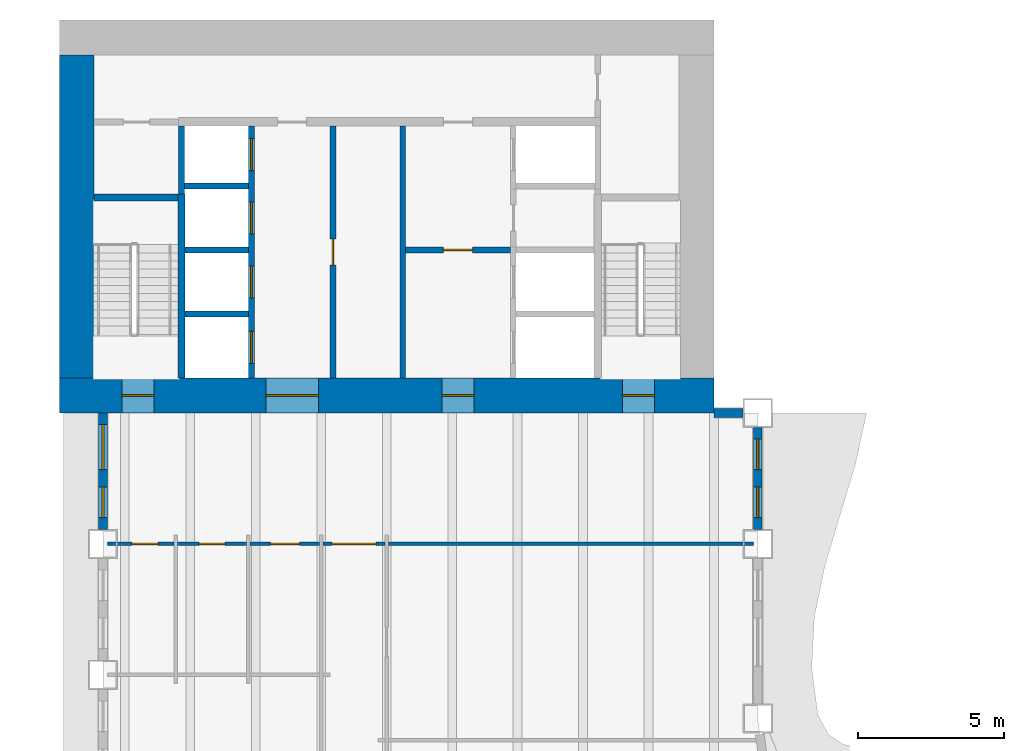
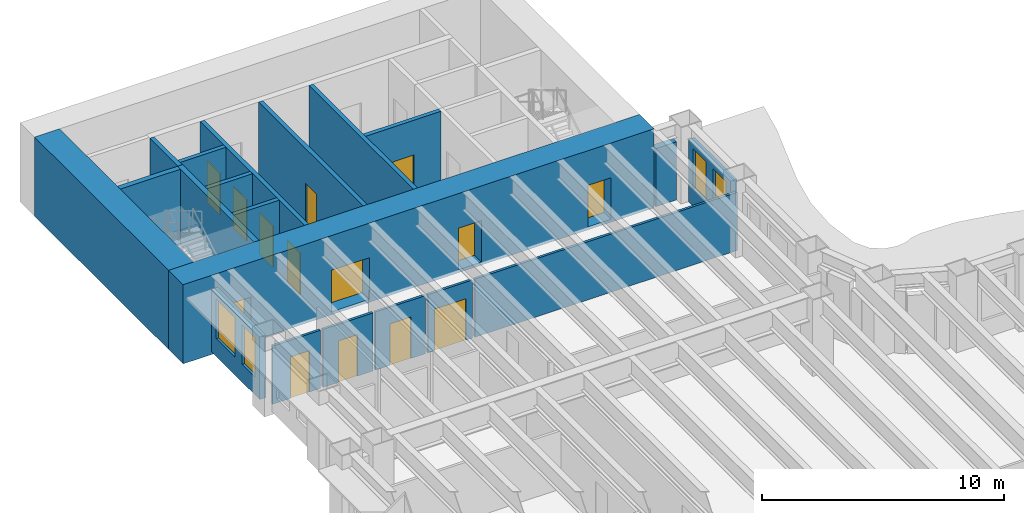
# One storey, part 8 of 16: 20 walls, 14 doors, 4 windows, 18 openings.
"""IFC4 building model written with IfcOpenShell, lengths in metres."""

from ifc_helpers import new_model, si_unit, direction, frame, frame_2d, origin, place, context, subcontext, project, spatial, rectangle, extrude, material, layer, layer_set, type_object, element, fill, save


model = new_model("IFC4")

# Units and contexts
model_context = context("Model", 3, precision=1e-05, world=origin(), true_north=direction((0.0, 1.0)))
body_context = subcontext(model_context, "Body", "Model", "MODEL_VIEW")
ifc_project = project(units=[si_unit("LENGTHUNIT", "METRE"), si_unit("AREAUNIT", "SQUARE_METRE"), si_unit("VOLUMEUNIT", "CUBIC_METRE"), si_unit("PLANEANGLEUNIT", "RADIAN"), si_unit("MASSUNIT", "GRAM", prefix="KILO")], contexts=[model_context])

# Site, building, storey
site_placement = place(None, origin())
site = spatial("IfcSite", under=ifc_project, at=site_placement, CompositionType="ELEMENT")
building_placement = place(site_placement, origin())
building = spatial("IfcBuilding", under=site, at=building_placement, Name="Sennacour Bend Tower", CompositionType="ELEMENT")
storey_placement = place(building_placement, frame((0.0, 0.0, 111.0)))
storey = spatial("IfcBuildingStorey", under=building, at=storey_placement, Name="L25", CompositionType="ELEMENT", Elevation=111.0)

# Wall, openings, doors
ifc_material_1 = material(Name="Concrete C80/95", Category="concrete")
ifc_layer_1 = layer(ifc_material_1, 1.199951171875, Name="Concrete C80/95", Category="concrete")
ifc_layer_set_1 = layer_set([ifc_layer_1], Name="Concrete C80/95")
wall_type_1 = type_object("IfcWallType", Name="Core wall 1200 C80/95", PredefinedType="SHEAR", material=ifc_layer_set_1)
wall_1_placement = place(storey_placement, frame((0.0, 36.60009765625, -0.14990234375), z_axis=(0.0, 0.0, 1.0), x_axis=(1.0, 0.0, 0.0)))
wall_1 = element("IfcWall", 1, at=wall_1_placement, inside=storey, type_object=wall_type_1, Name="Core B wall L25 S", PredefinedType="SHEAR", context=body_context, shape_type="SweptSolid", body=[
    extrude(rectangle(XDim=22.5, YDim=1.199951171875, at=frame_2d((11.25, 0.0))), origin(), (0.0, 0.0, 1.0), 4.0),
])
opening_1_placement = place(wall_1_placement, frame((7.10009765625, 0.0, 0.14990234375)))
opening_1 = element("IfcOpeningElement", 2, at=opening_1_placement, cuts=wall_1, Name="Opening CD", PredefinedType="OPENING", context=body_context, shape_type="SweptSolid", body=[
    extrude(rectangle(XDim=1.800048828125, YDim=2.10009765625, at=frame_2d((0.89990234375, 1.050048828125))), frame((0.0, 0.60986328125, 0.0), z_axis=(0.0, -1.0, 0.0), x_axis=(1.0, 0.0, 0.0)), (0.0, 0.0, 1.0), 1.219970703125),
])
opening_2_placement = place(wall_1_placement, frame((13.14990234375, 0.0, 0.14990234375)))
opening_2 = element("IfcOpeningElement", 3, at=opening_2_placement, cuts=wall_1, Name="Opening FD", PredefinedType="OPENING", context=body_context, shape_type="SweptSolid", body=[
    extrude(rectangle(XDim=1.10009765625, YDim=2.10009765625, at=frame_2d((0.550048828125, 1.050048828125))), frame((0.0, 0.60986328125, 0.0), z_axis=(0.0, -1.0, 0.0), x_axis=(1.0, 0.0, 0.0)), (0.0, 0.0, 1.0), 1.219970703125),
])
opening_3_placement = place(wall_1_placement, frame((2.14990234375, 0.0, 0.14990234375)))
opening_3 = element("IfcOpeningElement", 4, at=opening_3_placement, cuts=wall_1, Name="Opening SD", PredefinedType="OPENING", context=body_context, shape_type="SweptSolid", body=[
    extrude(rectangle(XDim=1.10009765625, YDim=2.10009765625, at=frame_2d((0.550048828125, 1.050048828125))), frame((0.0, 0.60986328125, 0.0), z_axis=(0.0, -1.0, 0.0), x_axis=(1.0, 0.0, 0.0)), (0.0, 0.0, 1.0), 1.219970703125),
])
opening_4_placement = place(wall_1_placement, frame((19.35009765625, 0.0, 0.14990234375)))
opening_4 = element("IfcOpeningElement", 5, at=opening_4_placement, cuts=wall_1, Name="Opening SD", PredefinedType="OPENING", context=body_context, shape_type="SweptSolid", body=[
    extrude(rectangle(XDim=1.10009765625, YDim=2.10009765625, at=frame_2d((0.550048828125, 1.050048828125))), frame((0.0, 0.60986328125, 0.0), z_axis=(0.0, -1.0, 0.0), x_axis=(1.0, 0.0, 0.0)), (0.0, 0.0, 1.0), 1.219970703125),
])
ifc_material_2 = material(Name="Painted steel", Category="steel")
door_type_1 = type_object("IfcDoorType", Name="DR-FFL-1100", OperationType="NOTDEFINED", PredefinedType="DOOR", material=ifc_material_2)
door_1_placement = place(opening_2_placement, origin())
door_1 = element("IfcDoor", 6, at=door_1_placement, inside=storey, type_object=door_type_1, Name="Door", OperationType="SINGLE_SWING_RIGHT", OverallHeight=2.10009765625, OverallWidth=1.10009765625, PredefinedType="DOOR", context=body_context, shape_type="SweptSolid", body=[
    extrude(rectangle(XDim=1.10009765625, YDim=2.10009765625, at=frame_2d((0.550048828125, 1.050048828125))), frame((0.0, 0.02490234375, 0.0), z_axis=(0.0, -1.0, 0.0), x_axis=(1.0, 0.0, 0.0)), (0.0, 0.0, 1.0), 0.050048828125),
])
fill(opening_2, door_1)
door_type_2 = type_object("IfcDoorType", Name="DR-LOBBY-1800", OperationType="NOTDEFINED", PredefinedType="DOOR", material=ifc_material_2)
door_2_placement = place(opening_1_placement, origin())
door_2 = element("IfcDoor", 7, at=door_2_placement, inside=storey, type_object=door_type_2, Name="Door", OperationType="DOUBLE_DOOR_SINGLE_SWING", OverallHeight=2.10009765625, OverallWidth=1.800048828125, PredefinedType="DOOR", context=body_context, shape_type="SweptSolid", body=[
    extrude(rectangle(XDim=1.800048828125, YDim=2.10009765625, at=frame_2d((0.89990234375, 1.050048828125))), frame((0.0, 0.02490234375, 0.0), z_axis=(0.0, -1.0, 0.0), x_axis=(1.0, 0.0, 0.0)), (0.0, 0.0, 1.0), 0.050048828125),
])
fill(opening_1, door_2)
door_type_3 = type_object("IfcDoorType", Name="DR-STAIR-1100", OperationType="NOTDEFINED", PredefinedType="DOOR", material=ifc_material_2)
door_3_placement = place(opening_3_placement, origin())
door_3 = element("IfcDoor", 8, at=door_3_placement, inside=storey, type_object=door_type_3, Name="Door", OperationType="SINGLE_SWING_LEFT", OverallHeight=2.10009765625, OverallWidth=1.10009765625, PredefinedType="DOOR", context=body_context, shape_type="SweptSolid", body=[
    extrude(rectangle(XDim=1.10009765625, YDim=2.10009765625, at=frame_2d((0.550048828125, 1.050048828125))), frame((0.0, 0.02490234375, 0.0), z_axis=(0.0, -1.0, 0.0), x_axis=(1.0, 0.0, 0.0)), (0.0, 0.0, 1.0), 0.050048828125),
])
fill(opening_3, door_3)
door_4_placement = place(opening_4_placement, origin())
door_4 = element("IfcDoor", 9, at=door_4_placement, inside=storey, type_object=door_type_3, Name="Door", OperationType="SINGLE_SWING_RIGHT", OverallHeight=2.10009765625, OverallWidth=1.10009765625, PredefinedType="DOOR", context=body_context, shape_type="SweptSolid", body=[
    extrude(rectangle(XDim=1.10009765625, YDim=2.10009765625, at=frame_2d((0.550048828125, 1.050048828125))), frame((0.0, 0.02490234375, 0.0), z_axis=(0.0, -1.0, 0.0), x_axis=(1.0, 0.0, 0.0)), (0.0, 0.0, 1.0), 0.050048828125),
])
fill(opening_4, door_4)

# Wall
wall_2_placement = place(storey_placement, frame((0.60009765625, 37.199951171875, -0.14990234375), z_axis=(0.0, 0.0, 1.0), x_axis=(0.0, 1.0, 0.0)))
element("IfcWall", 10, at=wall_2_placement, inside=storey, type_object=wall_type_1, Name="Core B wall L25 W", PredefinedType="SHEAR", context=body_context, shape_type="SweptSolid", body=[
    extrude(rectangle(XDim=11.10009765625, YDim=1.199951171875, at=frame_2d((5.550048828125, 0.0))), origin(), (0.0, 0.0, 1.0), 4.0),
])

# Wall, opening, door
ifc_material_3 = material(Name="Plasterboard partition on steel studs", Category="steel")
ifc_layer_2 = layer(ifc_material_3, 0.1201171875, Name="Plasterboard partition on steel studs", Category="steel")
ifc_layer_set_2 = layer_set([ifc_layer_2], Name="Plasterboard partition on steel studs")
wall_type_2 = type_object("IfcWallType", Name="Partition 120", PredefinedType="PARTITIONING", material=ifc_layer_set_2)
wall_3_placement = place(storey_placement, frame((1.64990234375, 31.5, 0.0), z_axis=(0.0, 0.0, 1.0), x_axis=(1.0, 0.0, 0.0)))
wall_3 = element("IfcWall", 11, at=wall_3_placement, inside=storey, type_object=wall_type_2, Name="P-L25-W073aa", PredefinedType="PARTITIONING", context=body_context, shape_type="SweptSolid", body=[
    extrude(rectangle(XDim=2.2900390625, YDim=0.1201171875, at=frame_2d((1.14501953125, 0.0))), origin(), (0.0, 0.0, 1.0), 2.93798828125),
])
opening_5_placement = place(wall_3_placement, frame((0.85009765625, 0.0, 0.0)))
opening_5 = element("IfcOpeningElement", 12, at=opening_5_placement, cuts=wall_3, Name="Opening WD", PredefinedType="OPENING", context=body_context, shape_type="SweptSolid", body=[
    extrude(rectangle(XDim=0.89990234375, YDim=2.10009765625, at=frame_2d((0.449951171875, 1.050048828125))), frame((0.0, 0.070068359375, 0.0), z_axis=(0.0, -1.0, 0.0), x_axis=(1.0, 0.0, 0.0)), (0.0, 0.0, 1.0), 0.14013671875),
])
ifc_material_4 = material(Name="Timber", Category="wood")
door_type_4 = type_object("IfcDoorType", Name="DR-WC-900", OperationType="NOTDEFINED", PredefinedType="DOOR", material=ifc_material_4)
door_5_placement = place(opening_5_placement, origin())
door_5 = element("IfcDoor", 13, at=door_5_placement, inside=storey, type_object=door_type_4, Name="Door", OperationType="SINGLE_SWING_RIGHT", OverallHeight=2.10009765625, OverallWidth=0.89990234375, PredefinedType="DOOR", context=body_context, shape_type="SweptSolid", body=[
    extrude(rectangle(XDim=0.89990234375, YDim=2.10009765625, at=frame_2d((0.449951171875, 1.050048828125))), frame((0.0, 0.02490234375, 0.0), z_axis=(0.0, -1.0, 0.0), x_axis=(1.0, 0.0, 0.0)), (0.0, 0.0, 1.0), 0.050048828125),
])
fill(opening_5, door_5)

wall_4_placement = place(storey_placement, frame((4.06005859375, 31.5, 0.0), z_axis=(0.0, 0.0, 1.0), x_axis=(1.0, 0.0, 0.0)))
wall_4 = element("IfcWall", 14, at=wall_4_placement, inside=storey, type_object=wall_type_2, Name="P-L25-W073ab", PredefinedType="PARTITIONING", context=body_context, shape_type="SweptSolid", body=[
    extrude(rectangle(XDim=2.3798828125, YDim=0.1201171875, at=frame_2d((1.18994140625, 0.0))), origin(), (0.0, 0.0, 1.0), 2.93798828125),
])
opening_6_placement = place(wall_4_placement, frame((0.739990234375, 0.0, 0.0)))
opening_6 = element("IfcOpeningElement", 15, at=opening_6_placement, cuts=wall_4, Name="Opening WD", PredefinedType="OPENING", context=body_context, shape_type="SweptSolid", body=[
    extrude(rectangle(XDim=0.89990234375, YDim=2.10009765625, at=frame_2d((0.449951171875, 1.050048828125))), frame((0.0, 0.070068359375, 0.0), z_axis=(0.0, -1.0, 0.0), x_axis=(1.0, 0.0, 0.0)), (0.0, 0.0, 1.0), 0.14013671875),
])
door_6_placement = place(opening_6_placement, origin())
door_6 = element("IfcDoor", 16, at=door_6_placement, inside=storey, type_object=door_type_4, Name="Door", OperationType="SINGLE_SWING_LEFT", OverallHeight=2.10009765625, OverallWidth=0.89990234375, PredefinedType="DOOR", context=body_context, shape_type="SweptSolid", body=[
    extrude(rectangle(XDim=0.89990234375, YDim=2.10009765625, at=frame_2d((0.449951171875, 1.050048828125))), frame((0.0, 0.02490234375, 0.0), z_axis=(0.0, -1.0, 0.0), x_axis=(1.0, 0.0, 0.0)), (0.0, 0.0, 1.0), 0.050048828125),
])
fill(opening_6, door_6)

wall_5_placement = place(storey_placement, frame((6.56005859375, 31.5, 0.0), z_axis=(0.0, 0.0, 1.0), x_axis=(1.0, 0.0, 0.0)))
wall_5 = element("IfcWall", 17, at=wall_5_placement, inside=storey, type_object=wall_type_2, Name="P-L25-W073ac", PredefinedType="PARTITIONING", context=body_context, shape_type="SweptSolid", body=[
    extrude(rectangle(XDim=2.3798828125, YDim=0.1201171875, at=frame_2d((1.18994140625, 0.0))), origin(), (0.0, 0.0, 1.0), 2.93798828125),
])
opening_7_placement = place(wall_5_placement, frame((0.68994140625, 0.0, 0.0)))
opening_7 = element("IfcOpeningElement", 18, at=opening_7_placement, cuts=wall_5, Name="Opening AD", PredefinedType="OPENING", context=body_context, shape_type="SweptSolid", body=[
    extrude(rectangle(XDim=1.0, YDim=2.10009765625, at=frame_2d((0.5, 1.050048828125))), frame((0.0, 0.070068359375, 0.0), z_axis=(0.0, -1.0, 0.0), x_axis=(1.0, 0.0, 0.0)), (0.0, 0.0, 1.0), 0.14013671875),
])
door_type_5 = type_object("IfcDoorType", Name="DR-ACC-WC-1000", OperationType="NOTDEFINED", PredefinedType="DOOR", material=ifc_material_4)
door_7_placement = place(opening_7_placement, origin())
door_7 = element("IfcDoor", 19, at=door_7_placement, inside=storey, type_object=door_type_5, Name="Door", OperationType="SINGLE_SWING_LEFT", OverallHeight=2.10009765625, OverallWidth=1.0, PredefinedType="DOOR", context=body_context, shape_type="SweptSolid", body=[
    extrude(rectangle(XDim=1.0, YDim=2.10009765625, at=frame_2d((0.5, 1.050048828125))), frame((0.0, 0.02490234375, 0.0), z_axis=(0.0, -1.0, 0.0), x_axis=(1.0, 0.0, 0.0)), (0.0, 0.0, 1.0), 0.050048828125),
])
fill(opening_7, door_7)

# Wall
wall_6_placement = place(storey_placement, frame((11.31005859375, 31.5, 0.0), z_axis=(0.0, 0.0, 1.0), x_axis=(1.0, 0.0, 0.0)))
element("IfcWall", 20, at=wall_6_placement, inside=storey, type_object=wall_type_2, Name="P-L25-W073ae", PredefinedType="PARTITIONING", context=body_context, shape_type="SweptSolid", body=[
    extrude(rectangle(XDim=12.5400390625, YDim=0.1201171875, at=frame_2d((6.27001953125, 0.0))), origin(), (0.0, 0.0, 1.0), 2.93798828125),
])

# Wall, opening, door
ifc_layer_3 = layer(ifc_material_3, 0.1201171875, Name="Plasterboard partition on steel studs", Category="steel")
ifc_layer_set_3 = layer_set([ifc_layer_3], Name="Plasterboard partition on steel studs")
wall_type_3 = type_object("IfcWallType", Name="Partition 120 EI 30", PredefinedType="PARTITIONING", material=ifc_layer_set_3)
wall_7_placement = place(storey_placement, frame((9.06005859375, 31.5, 0.0), z_axis=(0.0, 0.0, 1.0), x_axis=(1.0, 0.0, 0.0)))
wall_7 = element("IfcWall", 21, at=wall_7_placement, inside=storey, type_object=wall_type_3, Name="P-L25-W073ad", PredefinedType="PARTITIONING", context=body_context, shape_type="SweptSolid", body=[
    extrude(rectangle(XDim=2.1298828125, YDim=0.1201171875, at=frame_2d((1.06494140625, 0.0))), origin(), (0.0, 0.0, 1.0), 2.93798828125),
])
opening_8_placement = place(wall_7_placement, frame((0.31494140625, 0.0, 0.0)))
opening_8 = element("IfcOpeningElement", 22, at=opening_8_placement, cuts=wall_7, Name="Opening KD", PredefinedType="OPENING", context=body_context, shape_type="SweptSolid", body=[
    extrude(rectangle(XDim=1.5, YDim=2.10009765625, at=frame_2d((0.75, 1.050048828125))), frame((0.0, 0.070068359375, 0.0), z_axis=(0.0, -1.0, 0.0), x_axis=(1.0, 0.0, 0.0)), (0.0, 0.0, 1.0), 0.14013671875),
])
door_type_6 = type_object("IfcDoorType", Name="DR-CORRIDOR-1500", OperationType="NOTDEFINED", PredefinedType="DOOR", material=ifc_material_2)
door_8_placement = place(opening_8_placement, origin())
door_8 = element("IfcDoor", 23, at=door_8_placement, inside=storey, type_object=door_type_6, Name="Door", OperationType="SINGLE_SWING_LEFT", OverallHeight=2.10009765625, OverallWidth=1.5, PredefinedType="DOOR", context=body_context, shape_type="SweptSolid", body=[
    extrude(rectangle(XDim=1.5, YDim=2.10009765625, at=frame_2d((0.75, 1.050048828125))), frame((0.0, 0.02490234375, 0.0), z_axis=(0.0, -1.0, 0.0), x_axis=(1.0, 0.0, 0.0)), (0.0, 0.0, 1.0), 0.050048828125),
])
fill(opening_8, door_8)

ifc_material_5 = material(Name="Fire-rated plasterboard partition on steel studs", Category="steel")
ifc_layer_4 = layer(ifc_material_5, 0.199951171875, Name="Fire-rated plasterboard partition on steel studs", Category="steel")
ifc_layer_set_4 = layer_set([ifc_layer_4], Name="Fire-rated plasterboard partition on steel studs")
wall_type_4 = type_object("IfcWallType", Name="Rated partition 200", PredefinedType="PARTITIONING", material=ifc_layer_set_4)
wall_8_placement = place(storey_placement, frame((9.39990234375, 37.199951171875, 0.0), z_axis=(0.0, 0.0, 1.0), x_axis=(0.0, 1.0, 0.0)))
wall_8 = element("IfcWall", 24, at=wall_8_placement, inside=storey, type_object=wall_type_4, Name="P-L25-W011", PredefinedType="PARTITIONING", context=body_context, shape_type="SweptSolid", body=[
    extrude(rectangle(XDim=8.650146484375, YDim=0.199951171875, at=frame_2d((4.3251953125, 0.0))), origin(), (0.0, 0.0, 1.0), 3.85009765625),
])
opening_9_placement = place(wall_8_placement, frame((3.875, 0.0, 0.0)))
opening_9 = element("IfcOpeningElement", 25, at=opening_9_placement, cuts=wall_8, Name="Opening SV", PredefinedType="OPENING", context=body_context, shape_type="SweptSolid", body=[
    extrude(rectangle(XDim=0.89990234375, YDim=2.10009765625, at=frame_2d((0.449951171875, 1.050048828125))), frame((0.0, 0.10986328125, 0.0), z_axis=(0.0, -1.0, 0.0), x_axis=(1.0, 0.0, 0.0)), (0.0, 0.0, 1.0), 0.219970703125),
])
door_type_7 = type_object("IfcDoorType", Name="DR-SERVICE-900", OperationType="NOTDEFINED", PredefinedType="DOOR", material=ifc_material_2)
door_9_placement = place(opening_9_placement, origin())
door_9 = element("IfcDoor", 26, at=door_9_placement, inside=storey, type_object=door_type_7, Name="Door", OperationType="SINGLE_SWING_LEFT", OverallHeight=2.10009765625, OverallWidth=0.89990234375, PredefinedType="DOOR", context=body_context, shape_type="SweptSolid", body=[
    extrude(rectangle(XDim=0.89990234375, YDim=2.10009765625, at=frame_2d((0.449951171875, 1.050048828125))), frame((0.0, 0.02490234375, 0.0), z_axis=(0.0, -1.0, 0.0), x_axis=(1.0, 0.0, 0.0)), (0.0, 0.0, 1.0), 0.050048828125),
])
fill(opening_9, door_9)

# Wall
wall_9_placement = place(storey_placement, frame((11.800048828125, 37.199951171875, 0.0), z_axis=(0.0, 0.0, 1.0), x_axis=(0.0, 1.0, 0.0)))
element("IfcWall", 27, at=wall_9_placement, inside=storey, type_object=wall_type_4, Name="P-L25-W013", PredefinedType="PARTITIONING", context=body_context, shape_type="SweptSolid", body=[
    extrude(rectangle(XDim=8.650146484375, YDim=0.199951171875, at=frame_2d((4.3251953125, 0.0))), origin(), (0.0, 0.0, 1.0), 3.85009765625),
])

# Wall, opening, door
ifc_layer_5 = layer(ifc_material_5, 0.199951171875, Name="Fire-rated plasterboard partition on steel studs", Category="steel")
ifc_layer_set_5 = layer_set([ifc_layer_5], Name="Fire-rated plasterboard partition on steel studs")
wall_type_5 = type_object("IfcWallType", Name="Rated partition 200 EI 90", PredefinedType="PARTITIONING", material=ifc_layer_set_5)
wall_10_placement = place(storey_placement, frame((11.89990234375, 41.60009765625, 0.0), z_axis=(0.0, 0.0, 1.0), x_axis=(1.0, 0.0, 0.0)))
wall_10 = element("IfcWall", 28, at=wall_10_placement, inside=storey, type_object=wall_type_5, Name="P-L25-W078", PredefinedType="PARTITIONING", context=body_context, shape_type="SweptSolid", body=[
    extrude(rectangle(XDim=3.60009765625, YDim=0.199951171875, at=frame_2d((1.800048828125, 0.0))), origin(), (0.0, 0.0, 1.0), 3.85009765625),
])
opening_10_placement = place(wall_10_placement, frame((1.300048828125, 0.0, 0.0)))
opening_10 = element("IfcOpeningElement", 29, at=opening_10_placement, cuts=wall_10, Name="Opening FD2", PredefinedType="OPENING", context=body_context, shape_type="SweptSolid", body=[
    extrude(rectangle(XDim=1.0, YDim=2.10009765625, at=frame_2d((0.5, 1.050048828125))), frame((0.0, 0.10986328125, 0.0), z_axis=(0.0, -1.0, 0.0), x_axis=(1.0, 0.0, 0.0)), (0.0, 0.0, 1.0), 0.219970703125),
])
door_type_8 = type_object("IfcDoorType", Name="DR-FFL-1000", OperationType="NOTDEFINED", PredefinedType="DOOR", material=ifc_material_2)
door_10_placement = place(opening_10_placement, origin())
door_10 = element("IfcDoor", 30, at=door_10_placement, inside=storey, type_object=door_type_8, Name="Door", OperationType="SINGLE_SWING_LEFT", OverallHeight=2.10009765625, OverallWidth=1.0, PredefinedType="DOOR", context=body_context, shape_type="SweptSolid", body=[
    extrude(rectangle(XDim=1.0, YDim=2.10009765625, at=frame_2d((0.5, 1.050048828125))), frame((0.0, 0.02490234375, 0.0), z_axis=(0.0, -1.0, 0.0), x_axis=(1.0, 0.0, 0.0)), (0.0, 0.0, 1.0), 0.050048828125),
])
fill(opening_10, door_10)

# Wall, openings, windows
ifc_material_6 = material(Name="Warm limestone cladding", Category="masonry")
ifc_layer_6 = layer(ifc_material_6, 0.050048828125, Name="Warm limestone cladding", Category="masonry")
ifc_material_7 = material(Name="Precast concrete C40/50", Category="concrete")
ifc_layer_7 = layer(ifc_material_7, 0.25, Name="Precast concrete C40/50", Category="concrete")
ifc_layer_set_6 = layer_set([ifc_layer_6, ifc_layer_7], Name="Precast concrete C40/50 with limestone cladding")
wall_type_6 = type_object("IfcWallType", Name="STONE-CLAD PRECAST SPANDREL 300", PredefinedType="STANDARD", material=ifc_layer_set_6)
wall_11_placement = place(storey_placement, frame((24.0, 32.0, 0.0), z_axis=(0.0, 0.0, 1.0), x_axis=(0.0, 1.0, 0.0)))
wall_11 = element("IfcWall", 31, at=wall_11_placement, inside=storey, type_object=wall_type_6, Name="Stone spandrel and pier wall L25 13.01", PredefinedType="STANDARD", context=body_context, shape_type="SweptSolid", body=[
    extrude(rectangle(XDim=3.5, YDim=0.300048828125, at=frame_2d((1.75, 0.0))), origin(), (0.0, 0.0, 1.0), 3.154052734375),
])
opening_11_placement = place(wall_11_placement, frame((0.39990234375, 0.0, 0.89990234375)))
opening_11 = element("IfcOpeningElement", 32, at=opening_11_placement, cuts=wall_11, Name="Opening W13", PredefinedType="OPENING", context=body_context, shape_type="SweptSolid", body=[
    extrude(rectangle(XDim=1.050048828125, YDim=2.0, at=frame_2d((0.52490234375, 1.0))), frame((0.0, 0.16015625, 0.0), z_axis=(0.0, -1.0, 0.0), x_axis=(1.0, 0.0, 0.0)), (0.0, 0.0, 1.0), 0.320068359375),
])
opening_12_placement = place(wall_11_placement, frame((2.050048828125, 0.0, 0.89990234375)))
opening_12 = element("IfcOpeningElement", 33, at=opening_12_placement, cuts=wall_11, Name="Opening W13", PredefinedType="OPENING", context=body_context, shape_type="SweptSolid", body=[
    extrude(rectangle(XDim=1.050048828125, YDim=2.0, at=frame_2d((0.52490234375, 1.0))), frame((0.0, 0.16015625, 0.0), z_axis=(0.0, -1.0, 0.0), x_axis=(1.0, 0.0, 0.0)), (0.0, 0.0, 1.0), 0.320068359375),
])
ifc_material_8 = material(Name="Clear low-emissivity glass", Category="glass")
window_type_1 = type_object("IfcWindowType", Name="WIN-RIBBON-1050x2000", PartitioningType="SINGLE_PANEL", PredefinedType="WINDOW", material=ifc_material_8)
window_1_placement = place(opening_11_placement, origin())
window_1 = element("IfcWindow", 34, at=window_1_placement, inside=storey, type_object=window_type_1, Name="Ribbon window L25 13.01.0", OverallHeight=2.0, OverallWidth=1.050048828125, PartitioningType="SINGLE_PANEL", PredefinedType="WINDOW", context=body_context, shape_type="SweptSolid", body=[
    extrude(rectangle(XDim=1.050048828125, YDim=2.0, at=frame_2d((0.52490234375, 1.0))), frame((0.0, 0.030029296875, 0.0), z_axis=(0.0, -1.0, 0.0), x_axis=(1.0, 0.0, 0.0)), (0.0, 0.0, 1.0), 0.06005859375),
])
fill(opening_11, window_1)
window_2_placement = place(opening_12_placement, origin())
window_2 = element("IfcWindow", 35, at=window_2_placement, inside=storey, type_object=window_type_1, Name="Ribbon window L25 13.01.1", OverallHeight=2.0, OverallWidth=1.050048828125, PartitioningType="SINGLE_PANEL", PredefinedType="WINDOW", context=body_context, shape_type="SweptSolid", body=[
    extrude(rectangle(XDim=1.050048828125, YDim=2.0, at=frame_2d((0.52490234375, 1.0))), frame((0.0, 0.030029296875, 0.0), z_axis=(0.0, -1.0, 0.0), x_axis=(1.0, 0.0, 0.0)), (0.0, 0.0, 1.0), 0.06005859375),
])
fill(opening_12, window_2)

# Wall
wall_12_placement = place(storey_placement, frame((23.5, 36.0, 0.0), z_axis=(0.0, 0.0, 1.0), x_axis=(-1.0, 0.0, 0.0)))
element("IfcWall", 36, at=wall_12_placement, inside=storey, type_object=wall_type_6, Name="Stone spandrel and pier wall L25 14.00", PredefinedType="STANDARD", context=body_context, shape_type="SweptSolid", body=[
    extrude(rectangle(XDim=1.0, YDim=0.300048828125, at=frame_2d((0.5, 0.0))), origin(), (0.0, 0.0, 1.0), 2.93798828125),
])

# Wall, openings, windows
wall_13_placement = place(storey_placement, frame((1.5, 36.0, 0.0), z_axis=(0.0, 0.0, 1.0), x_axis=(0.0, -1.0, 0.0)))
wall_13 = element("IfcWall", 37, at=wall_13_placement, inside=storey, type_object=wall_type_6, Name="Stone spandrel and pier wall L25 19.00", PredefinedType="STANDARD", context=body_context, shape_type="SweptSolid", body=[
    extrude(rectangle(XDim=4.0, YDim=0.300048828125, at=frame_2d((2.0, 0.0))), origin(), (0.0, 0.0, 1.0), 3.154052734375),
])
opening_13_placement = place(wall_13_placement, frame((0.39990234375, 0.0, 0.89990234375)))
opening_13 = element("IfcOpeningElement", 38, at=opening_13_placement, cuts=wall_13, Name="Opening W9", PredefinedType="OPENING", context=body_context, shape_type="SweptSolid", body=[
    extrude(rectangle(XDim=1.550048828125, YDim=2.0, at=frame_2d((0.77490234375, 1.0))), frame((0.0, 0.16015625, 0.0), z_axis=(0.0, -1.0, 0.0), x_axis=(1.0, 0.0, 0.0)), (0.0, 0.0, 1.0), 0.320068359375),
])
opening_14_placement = place(wall_13_placement, frame((2.550048828125, 0.0, 0.89990234375)))
opening_14 = element("IfcOpeningElement", 39, at=opening_14_placement, cuts=wall_13, Name="Opening W13", PredefinedType="OPENING", context=body_context, shape_type="SweptSolid", body=[
    extrude(rectangle(XDim=1.050048828125, YDim=2.0, at=frame_2d((0.52490234375, 1.0))), frame((0.0, 0.16015625, 0.0), z_axis=(0.0, -1.0, 0.0), x_axis=(1.0, 0.0, 0.0)), (0.0, 0.0, 1.0), 0.320068359375),
])
window_3_placement = place(opening_14_placement, origin())
window_3 = element("IfcWindow", 40, at=window_3_placement, inside=storey, type_object=window_type_1, Name="Ribbon window L25 19.00.1", OverallHeight=2.0, OverallWidth=1.050048828125, PartitioningType="SINGLE_PANEL", PredefinedType="WINDOW", context=body_context, shape_type="SweptSolid", body=[
    extrude(rectangle(XDim=1.050048828125, YDim=2.0, at=frame_2d((0.52490234375, 1.0))), frame((0.0, 0.030029296875, 0.0), z_axis=(0.0, -1.0, 0.0), x_axis=(1.0, 0.0, 0.0)), (0.0, 0.0, 1.0), 0.06005859375),
])
fill(opening_14, window_3)
window_type_2 = type_object("IfcWindowType", Name="WIN-RIBBON-1550x2000", PartitioningType="SINGLE_PANEL", PredefinedType="WINDOW", material=ifc_material_8)
window_4_placement = place(opening_13_placement, origin())
window_4 = element("IfcWindow", 41, at=window_4_placement, inside=storey, type_object=window_type_2, Name="Ribbon window L25 19.00.0", OverallHeight=2.0, OverallWidth=1.550048828125, PartitioningType="SINGLE_PANEL", PredefinedType="WINDOW", context=body_context, shape_type="SweptSolid", body=[
    extrude(rectangle(XDim=1.550048828125, YDim=2.0, at=frame_2d((0.77490234375, 1.0))), frame((0.0, 0.030029296875, 0.0), z_axis=(0.0, -1.0, 0.0), x_axis=(1.0, 0.0, 0.0)), (0.0, 0.0, 1.0), 0.06005859375),
])
fill(opening_13, window_4)

# Wall
ifc_material_9 = material(Name="Concrete C50/60", Category="concrete")
ifc_layer_8 = layer(ifc_material_9, 0.199951171875, Name="Concrete C50/60", Category="concrete")
ifc_layer_set_7 = layer_set([ifc_layer_8], Name="Concrete C50/60")
wall_type_7 = type_object("IfcWallType", Name="Shaft wall 200", PredefinedType="SOLIDWALL", material=ifc_layer_set_7)
wall_14_placement = place(storey_placement, frame((4.199951171875, 43.52490234375, 0.0), z_axis=(0.0, 0.0, 1.0), x_axis=(0.0, 1.0, 0.0)))
element("IfcWall", 42, at=wall_14_placement, inside=storey, type_object=wall_type_7, Name="P-L25-W006", PredefinedType="SOLIDWALL", context=body_context, shape_type="SweptSolid", body=[
    extrude(rectangle(XDim=2.3251953125, YDim=0.199951171875, at=frame_2d((1.16259765625, 0.0))), origin(), (0.0, 0.0, 1.0), 3.85009765625),
])

# Wall, openings, doors
wall_15_placement = place(storey_placement, frame((6.60009765625, 37.199951171875, 0.0), z_axis=(0.0, 0.0, 1.0), x_axis=(0.0, 1.0, 0.0)))
wall_15 = element("IfcWall", 43, at=wall_15_placement, inside=storey, type_object=wall_type_7, Name="P-L25-W008", PredefinedType="SOLIDWALL", context=body_context, shape_type="SweptSolid", body=[
    extrude(rectangle(XDim=8.650146484375, YDim=0.199951171875, at=frame_2d((4.3251953125, 0.0))), origin(), (0.0, 0.0, 1.0), 3.85009765625),
])
opening_15_placement = place(wall_15_placement, frame((0.5, 0.0, 0.011962890625)))
opening_15 = element("IfcOpeningElement", 44, at=opening_15_placement, cuts=wall_15, Name="Opening LD", PredefinedType="OPENING", context=body_context, shape_type="SweptSolid", body=[
    extrude(rectangle(XDim=1.10009765625, YDim=2.10009765625, at=frame_2d((0.550048828125, 1.050048828125))), frame((0.0, 0.10986328125, 0.0), z_axis=(0.0, -1.0, 0.0), x_axis=(1.0, 0.0, 0.0)), (0.0, 0.0, 1.0), 0.219970703125),
])
opening_16_placement = place(wall_15_placement, frame((2.75, 0.0, 0.011962890625)))
opening_16 = element("IfcOpeningElement", 45, at=opening_16_placement, cuts=wall_15, Name="Opening LD", PredefinedType="OPENING", context=body_context, shape_type="SweptSolid", body=[
    extrude(rectangle(XDim=1.10009765625, YDim=2.10009765625, at=frame_2d((0.550048828125, 1.050048828125))), frame((0.0, 0.10986328125, 0.0), z_axis=(0.0, -1.0, 0.0), x_axis=(1.0, 0.0, 0.0)), (0.0, 0.0, 1.0), 0.219970703125),
])
opening_17_placement = place(wall_15_placement, frame((4.949951171875, 0.0, 0.011962890625)))
opening_17 = element("IfcOpeningElement", 46, at=opening_17_placement, cuts=wall_15, Name="Opening LD", PredefinedType="OPENING", context=body_context, shape_type="SweptSolid", body=[
    extrude(rectangle(XDim=1.10009765625, YDim=2.10009765625, at=frame_2d((0.550048828125, 1.050048828125))), frame((0.0, 0.10986328125, 0.0), z_axis=(0.0, -1.0, 0.0), x_axis=(1.0, 0.0, 0.0)), (0.0, 0.0, 1.0), 0.219970703125),
])
opening_18_placement = place(wall_15_placement, frame((7.125, 0.0, 0.011962890625)))
opening_18 = element("IfcOpeningElement", 47, at=opening_18_placement, cuts=wall_15, Name="Opening LD", PredefinedType="OPENING", context=body_context, shape_type="SweptSolid", body=[
    extrude(rectangle(XDim=1.10009765625, YDim=2.10009765625, at=frame_2d((0.550048828125, 1.050048828125))), frame((0.0, 0.10986328125, 0.0), z_axis=(0.0, -1.0, 0.0), x_axis=(1.0, 0.0, 0.0)), (0.0, 0.0, 1.0), 0.219970703125),
])
ifc_material_10 = material(Name="Stainless steel", Category="steel")
door_type_9 = type_object("IfcDoorType", Name="DR-LANDING-1100", OperationType="NOTDEFINED", PredefinedType="DOOR", material=ifc_material_10)
door_11_placement = place(opening_15_placement, origin())
door_11 = element("IfcDoor", 48, at=door_11_placement, inside=storey, type_object=door_type_9, Name="Lift landing door LB1", OperationType="SLIDING_TO_LEFT", OverallHeight=2.10009765625, OverallWidth=1.10009765625, PredefinedType="DOOR", context=body_context, shape_type="SweptSolid", body=[
    extrude(rectangle(XDim=1.10009765625, YDim=2.10009765625, at=frame_2d((0.550048828125, 1.050048828125))), frame((0.0, 0.02490234375, 0.0), z_axis=(0.0, -1.0, 0.0), x_axis=(1.0, 0.0, 0.0)), (0.0, 0.0, 1.0), 0.050048828125),
])
fill(opening_15, door_11)
door_12_placement = place(opening_16_placement, origin())
door_12 = element("IfcDoor", 49, at=door_12_placement, inside=storey, type_object=door_type_9, Name="Lift landing door LB2", OperationType="SLIDING_TO_RIGHT", OverallHeight=2.10009765625, OverallWidth=1.10009765625, PredefinedType="DOOR", context=body_context, shape_type="SweptSolid", body=[
    extrude(rectangle(XDim=1.10009765625, YDim=2.10009765625, at=frame_2d((0.550048828125, 1.050048828125))), frame((0.0, 0.02490234375, 0.0), z_axis=(0.0, -1.0, 0.0), x_axis=(1.0, 0.0, 0.0)), (0.0, 0.0, 1.0), 0.050048828125),
])
fill(opening_16, door_12)
door_13_placement = place(opening_17_placement, origin())
door_13 = element("IfcDoor", 50, at=door_13_placement, inside=storey, type_object=door_type_9, Name="Lift landing door LB3", OperationType="SLIDING_TO_LEFT", OverallHeight=2.10009765625, OverallWidth=1.10009765625, PredefinedType="DOOR", context=body_context, shape_type="SweptSolid", body=[
    extrude(rectangle(XDim=1.10009765625, YDim=2.10009765625, at=frame_2d((0.550048828125, 1.050048828125))), frame((0.0, 0.02490234375, 0.0), z_axis=(0.0, -1.0, 0.0), x_axis=(1.0, 0.0, 0.0)), (0.0, 0.0, 1.0), 0.050048828125),
])
fill(opening_17, door_13)
door_14_placement = place(opening_18_placement, origin())
door_14 = element("IfcDoor", 51, at=door_14_placement, inside=storey, type_object=door_type_9, Name="Lift landing door LB4", OperationType="SLIDING_TO_RIGHT", OverallHeight=2.10009765625, OverallWidth=1.10009765625, PredefinedType="DOOR", context=body_context, shape_type="SweptSolid", body=[
    extrude(rectangle(XDim=1.10009765625, YDim=2.10009765625, at=frame_2d((0.550048828125, 1.050048828125))), frame((0.0, 0.02490234375, 0.0), z_axis=(0.0, -1.0, 0.0), x_axis=(1.0, 0.0, 0.0)), (0.0, 0.0, 1.0), 0.050048828125),
])
fill(opening_18, door_14)

# Walls
for number, where, z_axis, x_axis, name in (
    (52, (4.324951171875, 39.39990234375, 0.0), (0.0, 0.0, 1.0), (1.0, 0.0, 0.0), "P-L25-W075"),
    (53, (4.324951171875, 41.60009765625, 0.0), (0.0, 0.0, 1.0), (1.0, 0.0, 0.0), "P-L25-W077"),
):
    element("IfcWall", number, at=place(storey_placement, frame(where, z_axis=z_axis, x_axis=x_axis)), inside=storey, type_object=wall_type_7, Name=name, PredefinedType="SOLIDWALL", context=body_context, shape_type="SweptSolid", body=[
        extrude(rectangle(XDim=2.175048828125, YDim=0.199951171875, at=frame_2d((1.08740234375, 0.0))), origin(), (0.0, 0.0, 1.0), 3.85009765625),
    ])
wall_16_placement = place(storey_placement, frame((4.300048828125, 43.800048828125, 0.0), z_axis=(0.0, 0.0, 1.0), x_axis=(1.0, 0.0, 0.0)))
element("IfcWall", 54, at=wall_16_placement, inside=storey, type_object=wall_type_7, Name="P-L25-W082", PredefinedType="SOLIDWALL", context=body_context, shape_type="SweptSolid", body=[
    extrude(rectangle(XDim=2.199951171875, YDim=0.199951171875, at=frame_2d((1.10009765625, 0.0))), origin(), (0.0, 0.0, 1.0), 3.85009765625),
])
ifc_material_11 = material(Name="Concrete C60/75", Category="concrete")
ifc_layer_9 = layer(ifc_material_11, 0.25, Name="Concrete C60/75", Category="concrete")
ifc_layer_set_8 = layer_set([ifc_layer_9], Name="Concrete C60/75")
wall_type_8 = type_object("IfcWallType", Name="Stair wall 250", PredefinedType="SHEAR", material=ifc_layer_set_8)
wall_17_placement = place(storey_placement, frame((4.199951171875, 37.199951171875, 0.0), z_axis=(0.0, 0.0, 1.0), x_axis=(0.0, 1.0, 0.0)))
element("IfcWall", 55, at=wall_17_placement, inside=storey, type_object=wall_type_8, Name="P-L25-W005", PredefinedType="SHEAR", context=body_context, shape_type="SweptSolid", body=[
    extrude(rectangle(XDim=6.324951171875, YDim=0.25, at=frame_2d((3.16259765625, 0.0))), origin(), (0.0, 0.0, 1.0), 3.85009765625),
])
wall_18_placement = place(storey_placement, frame((1.199951171875, 43.39990234375, 0.0), z_axis=(0.0, 0.0, 1.0), x_axis=(1.0, 0.0, 0.0)))
element("IfcWall", 56, at=wall_18_placement, inside=storey, type_object=wall_type_8, Name="P-L25-W080", PredefinedType="SHEAR", context=body_context, shape_type="SweptSolid", body=[
    extrude(rectangle(XDim=2.875, YDim=0.25, at=frame_2d((1.4375, 0.0))), origin(), (0.0, 0.0, 1.0), 3.85009765625),
])

save(model, "model.ifc")
